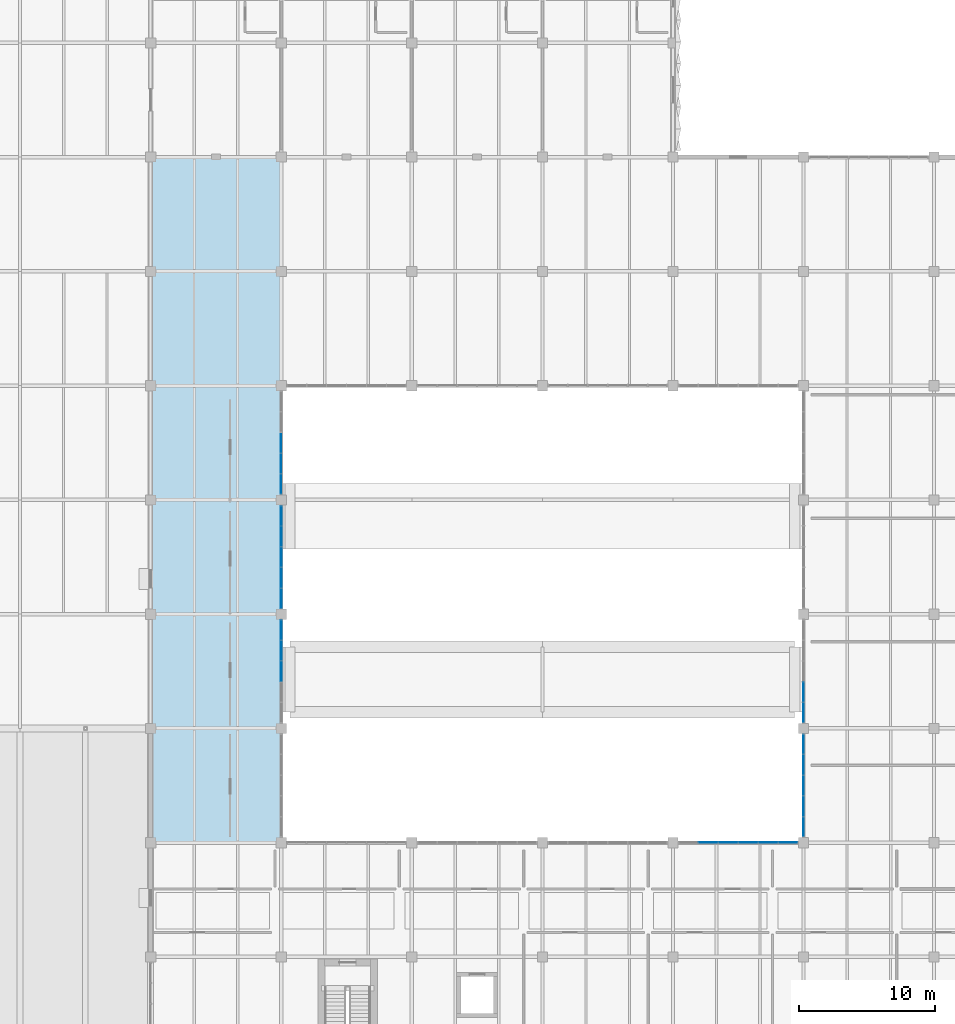
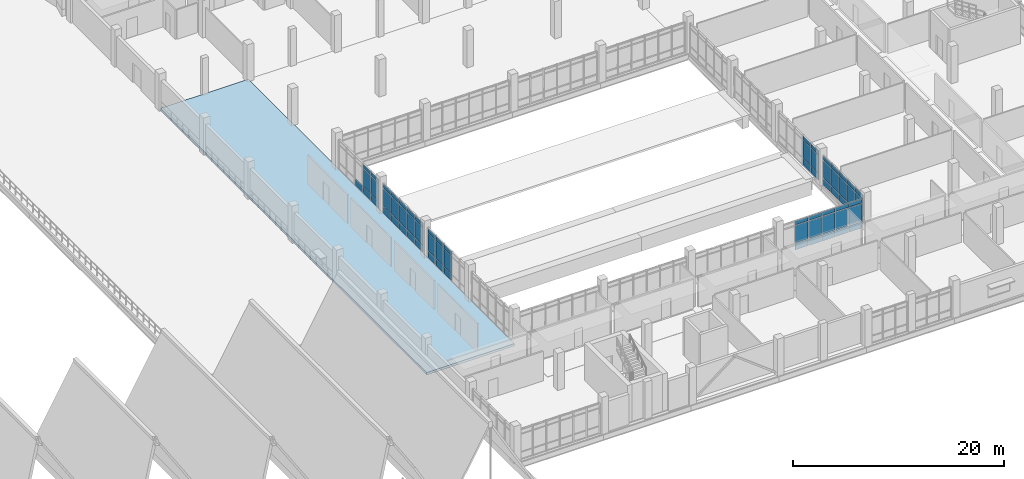
# One storey, part 42 of 86: 67 plates, 1 slab, 6 elements without a shape of their own.
"""IFC4 building model written with IfcOpenShell, lengths in metres."""

from ifc_helpers import new_model, si_unit, direction, frame, origin, origin_2d, place, context, subcontext, project, spatial, polyline, rectangle, outline, extrude, material, layer, layer_set, type_object, element, aggregate, save


model = new_model("IFC4")

# Units and contexts
model_context = context("Model", 3, precision=1e-05, world=origin(), true_north=direction((0.0, 1.0)))
body_context = subcontext(model_context, "Body", "Model", "MODEL_VIEW")
ifc_project = project(units=[si_unit("LENGTHUNIT", "METRE"), si_unit("AREAUNIT", "SQUARE_METRE"), si_unit("VOLUMEUNIT", "CUBIC_METRE"), si_unit("PLANEANGLEUNIT", "RADIAN"), si_unit("MASSUNIT", "GRAM", prefix="KILO")], contexts=[model_context])

# Site, building, storey
site_placement = place(None, origin())
site = spatial("IfcSite", under=ifc_project, at=site_placement, CompositionType="ELEMENT")
building_placement = place(site_placement, origin())
building = spatial("IfcBuilding", under=site, at=building_placement, Name="Oolite Switchyard Hospital", CompositionType="ELEMENT")
storey_placement = place(building_placement, frame((0.0, 0.0, 13.5)))
storey = spatial("IfcBuildingStorey", under=building, at=storey_placement, Name="L03", CompositionType="ELEMENT", Elevation=13.5)

# Curtain wall, plates
ifc_material_1 = material(Name="Thermally broken aluminum frame with laminated impact glazing", Category="aluminium")
curtain_wall_type_1 = type_object("IfcCurtainWallType", Name="CW-UNIT-84X43", PredefinedType="USERDEFINED", material=ifc_material_1)
curtain_wall_1_placement = place(storey_placement, origin())
curtain_wall_1 = element("IfcCurtainWall", 1, at=curtain_wall_1_placement, inside=storey, type_object=curtain_wall_type_1, Name="L03 Unitised Curtain Wall 343", ObjectType="UNITISED", PredefinedType="USERDEFINED")
ifc_material_2 = material(Name="Insulated fluoropolymer-coated aluminum spandrel panel", Category="aluminium")
ifc_layer_1 = layer(ifc_material_2, 0.054931640625)
ifc_layer_set_1 = layer_set([ifc_layer_1], Name="CW-PNL-SPN55")
plate_type_1 = type_object("IfcPlateType", Name="CW-PNL-SPN55", PredefinedType="CURTAIN_PANEL", material=ifc_layer_set_1)
plate_1_placement = place(storey_placement, frame((144.0, 40.83056640625, 0.0751953125), z_axis=(0.0, 0.0, 1.0), x_axis=(0.0, -1.0, 0.0)))
plate_1 = element("IfcPlate", 2, at=plate_1_placement, type_object=plate_type_1, Name="CW-09 panel 1.1", PredefinedType="CURTAIN_PANEL", context=body_context, shape_type="SweptSolid", body=[
    extrude(rectangle(XDim=1.4189453125, YDim=0.054931640625, at=origin_2d()), origin(), (0.0, 0.0, 1.0), 0.737548828125),
])
plate_2_placement = place(storey_placement, frame((144.0, 40.83056640625, 0.8876953125), z_axis=(0.0, 0.0, 1.0), x_axis=(0.0, -1.0, 0.0)))
plate_2 = element("IfcPlate", 3, at=plate_2_placement, type_object=plate_type_1, Name="CW-09 panel 1.2", PredefinedType="CURTAIN_PANEL", context=body_context, shape_type="SweptSolid", body=[
    extrude(rectangle(XDim=1.4189453125, YDim=0.054931640625, at=origin_2d()), origin(), (0.0, 0.0, 1.0), 2.014892578125),
])
plate_3_placement = place(storey_placement, frame((144.0, 40.83056640625, 2.9775390625), z_axis=(0.0, 0.0, 1.0), x_axis=(0.0, -1.0, 0.0)))
plate_3 = element("IfcPlate", 4, at=plate_3_placement, type_object=plate_type_1, Name="CW-09 panel 1.3", PredefinedType="CURTAIN_PANEL", context=body_context, shape_type="SweptSolid", body=[
    extrude(rectangle(XDim=1.4189453125, YDim=0.054931640625, at=origin_2d()), origin(), (0.0, 0.0, 1.0), 0.4375),
])
plate_4_placement = place(storey_placement, frame((144.0, 39.323974609375, 0.0751953125), z_axis=(0.0, 0.0, 1.0), x_axis=(0.0, -1.0, 0.0)))
plate_4 = element("IfcPlate", 5, at=plate_4_placement, type_object=plate_type_1, Name="CW-09 panel 2.1", PredefinedType="CURTAIN_PANEL", context=body_context, shape_type="SweptSolid", body=[
    extrude(rectangle(XDim=1.4541015625, YDim=0.054931640625, at=origin_2d()), origin(), (0.0, 0.0, 1.0), 0.737548828125),
])
plate_5_placement = place(storey_placement, frame((144.0, 39.323974609375, 0.8876953125), z_axis=(0.0, 0.0, 1.0), x_axis=(0.0, -1.0, 0.0)))
plate_5 = element("IfcPlate", 6, at=plate_5_placement, type_object=plate_type_1, Name="CW-09 panel 2.2", PredefinedType="CURTAIN_PANEL", context=body_context, shape_type="SweptSolid", body=[
    extrude(rectangle(XDim=1.4541015625, YDim=0.054931640625, at=origin_2d()), origin(), (0.0, 0.0, 1.0), 2.014892578125),
])
plate_6_placement = place(storey_placement, frame((144.0, 39.323974609375, 2.9775390625), z_axis=(0.0, 0.0, 1.0), x_axis=(0.0, -1.0, 0.0)))
plate_6 = element("IfcPlate", 7, at=plate_6_placement, type_object=plate_type_1, Name="CW-09 panel 2.3", PredefinedType="CURTAIN_PANEL", context=body_context, shape_type="SweptSolid", body=[
    extrude(rectangle(XDim=1.4541015625, YDim=0.054931640625, at=origin_2d()), origin(), (0.0, 0.0, 1.0), 0.4375),
])
plate_7_placement = place(storey_placement, frame((144.0, 37.800048828125, 0.0751953125), z_axis=(0.0, 0.0, 1.0), x_axis=(0.0, -1.0, 0.0)))
plate_7 = element("IfcPlate", 8, at=plate_7_placement, type_object=plate_type_1, Name="CW-09 panel 3.1", PredefinedType="CURTAIN_PANEL", context=body_context, shape_type="SweptSolid", body=[
    extrude(rectangle(XDim=1.4541015625, YDim=0.054931640625, at=origin_2d()), origin(), (0.0, 0.0, 1.0), 0.737548828125),
])
plate_8_placement = place(storey_placement, frame((144.0, 37.800048828125, 0.8876953125), z_axis=(0.0, 0.0, 1.0), x_axis=(0.0, -1.0, 0.0)))
plate_8 = element("IfcPlate", 9, at=plate_8_placement, type_object=plate_type_1, Name="CW-09 panel 3.2", PredefinedType="CURTAIN_PANEL", context=body_context, shape_type="SweptSolid", body=[
    extrude(rectangle(XDim=1.4541015625, YDim=0.054931640625, at=origin_2d()), origin(), (0.0, 0.0, 1.0), 2.014892578125),
])
plate_9_placement = place(storey_placement, frame((144.0, 37.800048828125, 2.9775390625), z_axis=(0.0, 0.0, 1.0), x_axis=(0.0, -1.0, 0.0)))
plate_9 = element("IfcPlate", 10, at=plate_9_placement, type_object=plate_type_1, Name="CW-09 panel 3.3", PredefinedType="CURTAIN_PANEL", context=body_context, shape_type="SweptSolid", body=[
    extrude(rectangle(XDim=1.4541015625, YDim=0.054931640625, at=origin_2d()), origin(), (0.0, 0.0, 1.0), 0.4375),
])
aggregate(curtain_wall_1, [plate_1, plate_2, plate_3, plate_4, plate_5, plate_6, plate_7, plate_8, plate_9])

curtain_wall_2_placement = place(storey_placement, origin())
curtain_wall_2 = element("IfcCurtainWall", 11, at=curtain_wall_2_placement, inside=storey, type_object=curtain_wall_type_1, Name="L03 Unitised Curtain Wall 345", ObjectType="UNITISED", PredefinedType="USERDEFINED")
plate_10_placement = place(storey_placement, frame((182.39990234375, 34.76708984375, 0.0751953125), z_axis=(0.0, 0.0, 1.0), x_axis=(0.0, 1.0, 0.0)))
plate_10 = element("IfcPlate", 12, at=plate_10_placement, type_object=plate_type_1, Name="CW-09 panel 1.1", PredefinedType="CURTAIN_PANEL", context=body_context, shape_type="SweptSolid", body=[
    extrude(rectangle(XDim=1.43408203125, YDim=0.054931640625, at=origin_2d()), origin(), (0.0, 0.0, 1.0), 0.737548828125),
])
plate_11_placement = place(storey_placement, frame((182.39990234375, 34.76708984375, 0.8876953125), z_axis=(0.0, 0.0, 1.0), x_axis=(0.0, 1.0, 0.0)))
plate_11 = element("IfcPlate", 13, at=plate_11_placement, type_object=plate_type_1, Name="CW-09 panel 1.2", PredefinedType="CURTAIN_PANEL", context=body_context, shape_type="SweptSolid", body=[
    extrude(rectangle(XDim=1.43408203125, YDim=0.054931640625, at=origin_2d()), origin(), (0.0, 0.0, 1.0), 2.014892578125),
])
plate_12_placement = place(storey_placement, frame((182.39990234375, 34.76708984375, 2.9775390625), z_axis=(0.0, 0.0, 1.0), x_axis=(0.0, 1.0, 0.0)))
plate_12 = element("IfcPlate", 14, at=plate_12_placement, type_object=plate_type_1, Name="CW-09 panel 1.3", PredefinedType="CURTAIN_PANEL", context=body_context, shape_type="SweptSolid", body=[
    extrude(rectangle(XDim=1.43408203125, YDim=0.054931640625, at=origin_2d()), origin(), (0.0, 0.0, 1.0), 0.4375),
])
plate_13_placement = place(storey_placement, frame((182.39990234375, 36.27587890625, 0.0751953125), z_axis=(0.0, 0.0, 1.0), x_axis=(0.0, 1.0, 0.0)))
plate_13 = element("IfcPlate", 15, at=plate_13_placement, type_object=plate_type_1, Name="CW-09 panel 2.1", PredefinedType="CURTAIN_PANEL", context=body_context, shape_type="SweptSolid", body=[
    extrude(rectangle(XDim=1.464111328125, YDim=0.054931640625, at=origin_2d()), origin(), (0.0, 0.0, 1.0), 0.737548828125),
])
plate_14_placement = place(storey_placement, frame((182.39990234375, 36.27587890625, 0.8876953125), z_axis=(0.0, 0.0, 1.0), x_axis=(0.0, 1.0, 0.0)))
plate_14 = element("IfcPlate", 16, at=plate_14_placement, type_object=plate_type_1, Name="CW-09 panel 2.2", PredefinedType="CURTAIN_PANEL", context=body_context, shape_type="SweptSolid", body=[
    extrude(rectangle(XDim=1.464111328125, YDim=0.054931640625, at=origin_2d()), origin(), (0.0, 0.0, 1.0), 2.014892578125),
])
plate_15_placement = place(storey_placement, frame((182.39990234375, 36.27587890625, 2.9775390625), z_axis=(0.0, 0.0, 1.0), x_axis=(0.0, 1.0, 0.0)))
plate_15 = element("IfcPlate", 17, at=plate_15_placement, type_object=plate_type_1, Name="CW-09 panel 2.3", PredefinedType="CURTAIN_PANEL", context=body_context, shape_type="SweptSolid", body=[
    extrude(rectangle(XDim=1.464111328125, YDim=0.054931640625, at=origin_2d()), origin(), (0.0, 0.0, 1.0), 0.4375),
])
aggregate(curtain_wall_2, [plate_10, plate_11, plate_12, plate_13, plate_14, plate_15])

curtain_wall_type_2 = type_object("IfcCurtainWallType", Name="CW-UNIT-96X43", PredefinedType="USERDEFINED", material=ifc_material_1)
curtain_wall_3_placement = place(storey_placement, origin())
curtain_wall_3 = element("IfcCurtainWall", 18, at=curtain_wall_3_placement, inside=storey, type_object=curtain_wall_type_2, Name="L03 Unitised Curtain Wall 333", ObjectType="UNITISED", PredefinedType="USERDEFINED")
ifc_material_3 = material(Name="Laminated hurricane-impact insulated glazing unit", Category="glass")
ifc_layer_2 = layer(ifc_material_3, 0.028076171875)
ifc_layer_set_2 = layer_set([ifc_layer_2], Name="CW-PNL-VIS28")
plate_type_2 = type_object("IfcPlateType", Name="CW-PNL-VIS28", PredefinedType="CURTAIN_PANEL", material=ifc_layer_set_2)
plate_16_placement = place(storey_placement, frame((175.39501953125, 25.199951171875, 0.0751953125), z_axis=(0.0, 0.0, 1.0), x_axis=(1.0, 0.0, 0.0)))
plate_16 = element("IfcPlate", 19, at=plate_16_placement, type_object=plate_type_2, Name="CW-04 panel 2.1", PredefinedType="CURTAIN_PANEL", context=body_context, shape_type="SweptSolid", body=[
    extrude(rectangle(XDim=1.409912109375, YDim=0.028076171875, at=origin_2d()), origin(), (0.0, 0.0, 1.0), 0.737548828125),
])
plate_17_placement = place(storey_placement, frame((175.39501953125, 25.199951171875, 0.8876953125), z_axis=(0.0, 0.0, 1.0), x_axis=(1.0, 0.0, 0.0)))
plate_17 = element("IfcPlate", 20, at=plate_17_placement, type_object=plate_type_2, Name="CW-04 panel 2.2", PredefinedType="CURTAIN_PANEL", context=body_context, shape_type="SweptSolid", body=[
    extrude(rectangle(XDim=1.409912109375, YDim=0.028076171875, at=origin_2d()), origin(), (0.0, 0.0, 1.0), 2.014892578125),
])
plate_18_placement = place(storey_placement, frame((175.39501953125, 25.199951171875, 2.9775390625), z_axis=(0.0, 0.0, 1.0), x_axis=(1.0, 0.0, 0.0)))
plate_18 = element("IfcPlate", 21, at=plate_18_placement, type_object=plate_type_2, Name="CW-04 panel 2.3", PredefinedType="CURTAIN_PANEL", context=body_context, shape_type="SweptSolid", body=[
    extrude(rectangle(XDim=1.409912109375, YDim=0.028076171875, at=origin_2d()), origin(), (0.0, 0.0, 1.0), 0.4375),
])
plate_19_placement = place(storey_placement, frame((176.864990234375, 25.199951171875, 0.0751953125), z_axis=(0.0, 0.0, 1.0), x_axis=(1.0, 0.0, 0.0)))
plate_19 = element("IfcPlate", 22, at=plate_19_placement, type_object=plate_type_2, Name="CW-04 panel 3.1", PredefinedType="CURTAIN_PANEL", context=body_context, shape_type="SweptSolid", body=[
    extrude(rectangle(XDim=1.409912109375, YDim=0.028076171875, at=origin_2d()), origin(), (0.0, 0.0, 1.0), 0.737548828125),
])
plate_20_placement = place(storey_placement, frame((176.864990234375, 25.199951171875, 0.8876953125), z_axis=(0.0, 0.0, 1.0), x_axis=(1.0, 0.0, 0.0)))
plate_20 = element("IfcPlate", 23, at=plate_20_placement, type_object=plate_type_2, Name="CW-04 panel 3.2", PredefinedType="CURTAIN_PANEL", context=body_context, shape_type="SweptSolid", body=[
    extrude(rectangle(XDim=1.409912109375, YDim=0.028076171875, at=origin_2d()), origin(), (0.0, 0.0, 1.0), 2.014892578125),
])
plate_21_placement = place(storey_placement, frame((176.864990234375, 25.199951171875, 2.9775390625), z_axis=(0.0, 0.0, 1.0), x_axis=(1.0, 0.0, 0.0)))
plate_21 = element("IfcPlate", 24, at=plate_21_placement, type_object=plate_type_2, Name="CW-04 panel 3.3", PredefinedType="CURTAIN_PANEL", context=body_context, shape_type="SweptSolid", body=[
    extrude(rectangle(XDim=1.409912109375, YDim=0.028076171875, at=origin_2d()), origin(), (0.0, 0.0, 1.0), 0.4375),
])
plate_22_placement = place(storey_placement, frame((178.3349609375, 25.199951171875, 0.0751953125), z_axis=(0.0, 0.0, 1.0), x_axis=(1.0, 0.0, 0.0)))
plate_22 = element("IfcPlate", 25, at=plate_22_placement, type_object=plate_type_2, Name="CW-04 panel 4.1", PredefinedType="CURTAIN_PANEL", context=body_context, shape_type="SweptSolid", body=[
    extrude(rectangle(XDim=1.409912109375, YDim=0.028076171875, at=origin_2d()), origin(), (0.0, 0.0, 1.0), 0.737548828125),
])
plate_23_placement = place(storey_placement, frame((178.3349609375, 25.199951171875, 0.8876953125), z_axis=(0.0, 0.0, 1.0), x_axis=(1.0, 0.0, 0.0)))
plate_23 = element("IfcPlate", 26, at=plate_23_placement, type_object=plate_type_2, Name="CW-04 panel 4.2", PredefinedType="CURTAIN_PANEL", context=body_context, shape_type="SweptSolid", body=[
    extrude(rectangle(XDim=1.409912109375, YDim=0.028076171875, at=origin_2d()), origin(), (0.0, 0.0, 1.0), 2.014892578125),
])
plate_24_placement = place(storey_placement, frame((178.3349609375, 25.199951171875, 2.9775390625), z_axis=(0.0, 0.0, 1.0), x_axis=(1.0, 0.0, 0.0)))
plate_24 = element("IfcPlate", 27, at=plate_24_placement, type_object=plate_type_2, Name="CW-04 panel 4.3", PredefinedType="CURTAIN_PANEL", context=body_context, shape_type="SweptSolid", body=[
    extrude(rectangle(XDim=1.409912109375, YDim=0.028076171875, at=origin_2d()), origin(), (0.0, 0.0, 1.0), 0.4375),
])
plate_25_placement = place(storey_placement, frame((179.804931640625, 25.199951171875, 0.0751953125), z_axis=(0.0, 0.0, 1.0), x_axis=(1.0, 0.0, 0.0)))
plate_25 = element("IfcPlate", 28, at=plate_25_placement, type_object=plate_type_2, Name="CW-04 panel 5.1", PredefinedType="CURTAIN_PANEL", context=body_context, shape_type="SweptSolid", body=[
    extrude(rectangle(XDim=1.409912109375, YDim=0.028076171875, at=origin_2d()), origin(), (0.0, 0.0, 1.0), 0.737548828125),
])
plate_26_placement = place(storey_placement, frame((179.804931640625, 25.199951171875, 0.8876953125), z_axis=(0.0, 0.0, 1.0), x_axis=(1.0, 0.0, 0.0)))
plate_26 = element("IfcPlate", 29, at=plate_26_placement, type_object=plate_type_2, Name="CW-04 panel 5.2", PredefinedType="CURTAIN_PANEL", context=body_context, shape_type="SweptSolid", body=[
    extrude(rectangle(XDim=1.409912109375, YDim=0.028076171875, at=origin_2d()), origin(), (0.0, 0.0, 1.0), 2.014892578125),
])
plate_27_placement = place(storey_placement, frame((179.804931640625, 25.199951171875, 2.9775390625), z_axis=(0.0, 0.0, 1.0), x_axis=(1.0, 0.0, 0.0)))
plate_27 = element("IfcPlate", 30, at=plate_27_placement, type_object=plate_type_2, Name="CW-04 panel 5.3", PredefinedType="CURTAIN_PANEL", context=body_context, shape_type="SweptSolid", body=[
    extrude(rectangle(XDim=1.409912109375, YDim=0.028076171875, at=origin_2d()), origin(), (0.0, 0.0, 1.0), 0.4375),
])
plate_28_placement = place(storey_placement, frame((181.260009765625, 25.199951171875, 0.0751953125), z_axis=(0.0, 0.0, 1.0), x_axis=(1.0, 0.0, 0.0)))
plate_28 = element("IfcPlate", 31, at=plate_28_placement, type_object=plate_type_2, Name="CW-04 panel 6.1", PredefinedType="CURTAIN_PANEL", context=body_context, shape_type="SweptSolid", body=[
    extrude(rectangle(XDim=1.3798828125, YDim=0.028076171875, at=origin_2d()), origin(), (0.0, 0.0, 1.0), 0.737548828125),
])
plate_29_placement = place(storey_placement, frame((181.260009765625, 25.199951171875, 0.8876953125), z_axis=(0.0, 0.0, 1.0), x_axis=(1.0, 0.0, 0.0)))
plate_29 = element("IfcPlate", 32, at=plate_29_placement, type_object=plate_type_2, Name="CW-04 panel 6.2", PredefinedType="CURTAIN_PANEL", context=body_context, shape_type="SweptSolid", body=[
    extrude(rectangle(XDim=1.3798828125, YDim=0.028076171875, at=origin_2d()), origin(), (0.0, 0.0, 1.0), 2.014892578125),
])
plate_30_placement = place(storey_placement, frame((181.260009765625, 25.199951171875, 2.9775390625), z_axis=(0.0, 0.0, 1.0), x_axis=(1.0, 0.0, 0.0)))
plate_30 = element("IfcPlate", 33, at=plate_30_placement, type_object=plate_type_2, Name="CW-04 panel 6.3", PredefinedType="CURTAIN_PANEL", context=body_context, shape_type="SweptSolid", body=[
    extrude(rectangle(XDim=1.3798828125, YDim=0.028076171875, at=origin_2d()), origin(), (0.0, 0.0, 1.0), 0.4375),
])
aggregate(curtain_wall_3, [plate_16, plate_17, plate_18, plate_19, plate_20, plate_21, plate_22, plate_23, plate_24, plate_25, plate_26, plate_27, plate_28, plate_29, plate_30])

curtain_wall_4_placement = place(storey_placement, origin())
curtain_wall_4 = element("IfcCurtainWall", 34, at=curtain_wall_4_placement, inside=storey, type_object=curtain_wall_type_1, Name="L03 Unitised Curtain Wall 341", ObjectType="UNITISED", PredefinedType="USERDEFINED")
ifc_layer_3 = layer(ifc_material_3, 0.035888671875)
ifc_layer_set_3 = layer_set([ifc_layer_3], Name="CW-PNL-VIS36")
plate_type_3 = type_object("IfcPlateType", Name="CW-PNL-VIS36", PredefinedType="CURTAIN_PANEL", material=ifc_layer_set_3)
plate_31_placement = place(storey_placement, frame((144.0, 54.60009765625, 0.0751953125), z_axis=(0.0, 0.0, 1.0), x_axis=(0.0, -1.0, 0.0)))
plate_31 = element("IfcPlate", 35, at=plate_31_placement, type_object=plate_type_3, Name="CW-09 panel 3.1", PredefinedType="CURTAIN_PANEL", context=body_context, shape_type="SweptSolid", body=[
    extrude(rectangle(XDim=1.448974609375, YDim=0.035888671875, at=origin_2d()), origin(), (0.0, 0.0, 1.0), 0.737548828125),
])
plate_32_placement = place(storey_placement, frame((144.0, 53.075927734375, 0.0751953125), z_axis=(0.0, 0.0, 1.0), x_axis=(0.0, -1.0, 0.0)))
plate_32 = element("IfcPlate", 36, at=plate_32_placement, type_object=plate_type_3, Name="CW-09 panel 4.1", PredefinedType="CURTAIN_PANEL", context=body_context, shape_type="SweptSolid", body=[
    extrude(rectangle(XDim=1.448974609375, YDim=0.035888671875, at=origin_2d()), origin(), (0.0, 0.0, 1.0), 0.737548828125),
])
plate_33_placement = place(storey_placement, frame((144.0, 53.075927734375, 0.8876953125), z_axis=(0.0, 0.0, 1.0), x_axis=(0.0, -1.0, 0.0)))
plate_33 = element("IfcPlate", 37, at=plate_33_placement, type_object=plate_type_3, Name="CW-09 panel 4.2", PredefinedType="CURTAIN_PANEL", context=body_context, shape_type="SweptSolid", body=[
    extrude(rectangle(XDim=1.448974609375, YDim=0.035888671875, at=origin_2d()), origin(), (0.0, 0.0, 1.0), 2.014892578125),
])
plate_34_placement = place(storey_placement, frame((144.0, 53.075927734375, 2.9775390625), z_axis=(0.0, 0.0, 1.0), x_axis=(0.0, -1.0, 0.0)))
plate_34 = element("IfcPlate", 38, at=plate_34_placement, type_object=plate_type_3, Name="CW-09 panel 4.3", PredefinedType="CURTAIN_PANEL", context=body_context, shape_type="SweptSolid", body=[
    extrude(rectangle(XDim=1.448974609375, YDim=0.035888671875, at=origin_2d()), origin(), (0.0, 0.0, 1.0), 0.4375),
])
plate_35_placement = place(storey_placement, frame((144.0, 51.57080078125, 0.0751953125), z_axis=(0.0, 0.0, 1.0), x_axis=(0.0, -1.0, 0.0)))
plate_35 = element("IfcPlate", 39, at=plate_35_placement, type_object=plate_type_3, Name="CW-09 panel 5.1", PredefinedType="CURTAIN_PANEL", context=body_context, shape_type="SweptSolid", body=[
    extrude(rectangle(XDim=1.41162109375, YDim=0.035888671875, at=origin_2d()), origin(), (0.0, 0.0, 1.0), 0.737548828125),
])
plate_36_placement = place(storey_placement, frame((144.0, 51.57080078125, 0.8876953125), z_axis=(0.0, 0.0, 1.0), x_axis=(0.0, -1.0, 0.0)))
plate_36 = element("IfcPlate", 40, at=plate_36_placement, type_object=plate_type_3, Name="CW-09 panel 5.2", PredefinedType="CURTAIN_PANEL", context=body_context, shape_type="SweptSolid", body=[
    extrude(rectangle(XDim=1.41162109375, YDim=0.035888671875, at=origin_2d()), origin(), (0.0, 0.0, 1.0), 2.014892578125),
])
plate_37_placement = place(storey_placement, frame((144.0, 51.57080078125, 2.9775390625), z_axis=(0.0, 0.0, 1.0), x_axis=(0.0, -1.0, 0.0)))
plate_37 = element("IfcPlate", 41, at=plate_37_placement, type_object=plate_type_3, Name="CW-09 panel 5.3", PredefinedType="CURTAIN_PANEL", context=body_context, shape_type="SweptSolid", body=[
    extrude(rectangle(XDim=1.41162109375, YDim=0.035888671875, at=origin_2d()), origin(), (0.0, 0.0, 1.0), 0.4375),
])
aggregate(curtain_wall_4, [plate_31, plate_32, plate_33, plate_34, plate_35, plate_36, plate_37])

curtain_wall_5_placement = place(storey_placement, origin())
curtain_wall_5 = element("IfcCurtainWall", 42, at=curtain_wall_5_placement, inside=storey, type_object=curtain_wall_type_1, Name="L03 Unitised Curtain Wall 344", ObjectType="UNITISED", PredefinedType="USERDEFINED")
plate_38_placement = place(storey_placement, frame((182.39990234375, 26.370849609375, 0.06005859375), z_axis=(0.0, 0.0, 1.0), x_axis=(0.0, 1.0, 0.0)))
plate_38 = element("IfcPlate", 43, at=plate_38_placement, type_object=plate_type_3, Name="CW-09 panel 1.1", PredefinedType="CURTAIN_PANEL", context=body_context, shape_type="SweptSolid", body=[
    extrude(rectangle(XDim=1.41162109375, YDim=0.035888671875, at=origin_2d()), origin(), (0.0, 0.0, 1.0), 0.760009765625),
])
plate_39_placement = place(storey_placement, frame((182.39990234375, 26.370849609375, 0.8798828125), z_axis=(0.0, 0.0, 1.0), x_axis=(0.0, 1.0, 0.0)))
plate_39 = element("IfcPlate", 44, at=plate_39_placement, type_object=plate_type_3, Name="CW-09 panel 1.2", PredefinedType="CURTAIN_PANEL", context=body_context, shape_type="SweptSolid", body=[
    extrude(rectangle(XDim=1.41162109375, YDim=0.035888671875, at=origin_2d()), origin(), (0.0, 0.0, 1.0), 2.030029296875),
])
plate_40_placement = place(storey_placement, frame((182.39990234375, 26.370849609375, 2.969970703125), z_axis=(0.0, 0.0, 1.0), x_axis=(0.0, 1.0, 0.0)))
plate_40 = element("IfcPlate", 45, at=plate_40_placement, type_object=plate_type_3, Name="CW-09 panel 1.3", PredefinedType="CURTAIN_PANEL", context=body_context, shape_type="SweptSolid", body=[
    extrude(rectangle(XDim=1.41162109375, YDim=0.035888671875, at=origin_2d()), origin(), (0.0, 0.0, 1.0), 0.4599609375),
])
plate_41_placement = place(storey_placement, frame((182.39990234375, 27.8759765625, 0.06005859375), z_axis=(0.0, 0.0, 1.0), x_axis=(0.0, 1.0, 0.0)))
plate_41 = element("IfcPlate", 46, at=plate_41_placement, type_object=plate_type_3, Name="CW-09 panel 2.1", PredefinedType="CURTAIN_PANEL", context=body_context, shape_type="SweptSolid", body=[
    extrude(rectangle(XDim=1.448974609375, YDim=0.035888671875, at=origin_2d()), origin(), (0.0, 0.0, 1.0), 0.760009765625),
])
plate_42_placement = place(storey_placement, frame((182.39990234375, 27.8759765625, 0.8798828125), z_axis=(0.0, 0.0, 1.0), x_axis=(0.0, 1.0, 0.0)))
plate_42 = element("IfcPlate", 47, at=plate_42_placement, type_object=plate_type_3, Name="CW-09 panel 2.2", PredefinedType="CURTAIN_PANEL", context=body_context, shape_type="SweptSolid", body=[
    extrude(rectangle(XDim=1.448974609375, YDim=0.035888671875, at=origin_2d()), origin(), (0.0, 0.0, 1.0), 2.030029296875),
])
plate_43_placement = place(storey_placement, frame((182.39990234375, 27.8759765625, 2.969970703125), z_axis=(0.0, 0.0, 1.0), x_axis=(0.0, 1.0, 0.0)))
plate_43 = element("IfcPlate", 48, at=plate_43_placement, type_object=plate_type_3, Name="CW-09 panel 2.3", PredefinedType="CURTAIN_PANEL", context=body_context, shape_type="SweptSolid", body=[
    extrude(rectangle(XDim=1.448974609375, YDim=0.035888671875, at=origin_2d()), origin(), (0.0, 0.0, 1.0), 0.4599609375),
])
plate_44_placement = place(storey_placement, frame((182.39990234375, 29.39990234375, 0.06005859375), z_axis=(0.0, 0.0, 1.0), x_axis=(0.0, 1.0, 0.0)))
plate_44 = element("IfcPlate", 49, at=plate_44_placement, type_object=plate_type_3, Name="CW-09 panel 3.1", PredefinedType="CURTAIN_PANEL", context=body_context, shape_type="SweptSolid", body=[
    extrude(rectangle(XDim=1.448974609375, YDim=0.035888671875, at=origin_2d()), origin(), (0.0, 0.0, 1.0), 0.760009765625),
])
plate_45_placement = place(storey_placement, frame((182.39990234375, 29.39990234375, 0.8798828125), z_axis=(0.0, 0.0, 1.0), x_axis=(0.0, 1.0, 0.0)))
plate_45 = element("IfcPlate", 50, at=plate_45_placement, type_object=plate_type_3, Name="CW-09 panel 3.2", PredefinedType="CURTAIN_PANEL", context=body_context, shape_type="SweptSolid", body=[
    extrude(rectangle(XDim=1.448974609375, YDim=0.035888671875, at=origin_2d()), origin(), (0.0, 0.0, 1.0), 2.030029296875),
])
plate_46_placement = place(storey_placement, frame((182.39990234375, 29.39990234375, 2.969970703125), z_axis=(0.0, 0.0, 1.0), x_axis=(0.0, 1.0, 0.0)))
plate_46 = element("IfcPlate", 51, at=plate_46_placement, type_object=plate_type_3, Name="CW-09 panel 3.3", PredefinedType="CURTAIN_PANEL", context=body_context, shape_type="SweptSolid", body=[
    extrude(rectangle(XDim=1.448974609375, YDim=0.035888671875, at=origin_2d()), origin(), (0.0, 0.0, 1.0), 0.4599609375),
])
plate_47_placement = place(storey_placement, frame((182.39990234375, 30.924072265625, 0.06005859375), z_axis=(0.0, 0.0, 1.0), x_axis=(0.0, 1.0, 0.0)))
plate_47 = element("IfcPlate", 52, at=plate_47_placement, type_object=plate_type_3, Name="CW-09 panel 4.1", PredefinedType="CURTAIN_PANEL", context=body_context, shape_type="SweptSolid", body=[
    extrude(rectangle(XDim=1.448974609375, YDim=0.035888671875, at=origin_2d()), origin(), (0.0, 0.0, 1.0), 0.760009765625),
])
plate_48_placement = place(storey_placement, frame((182.39990234375, 30.924072265625, 0.8798828125), z_axis=(0.0, 0.0, 1.0), x_axis=(0.0, 1.0, 0.0)))
plate_48 = element("IfcPlate", 53, at=plate_48_placement, type_object=plate_type_3, Name="CW-09 panel 4.2", PredefinedType="CURTAIN_PANEL", context=body_context, shape_type="SweptSolid", body=[
    extrude(rectangle(XDim=1.448974609375, YDim=0.035888671875, at=origin_2d()), origin(), (0.0, 0.0, 1.0), 2.030029296875),
])
plate_49_placement = place(storey_placement, frame((182.39990234375, 30.924072265625, 2.969970703125), z_axis=(0.0, 0.0, 1.0), x_axis=(0.0, 1.0, 0.0)))
plate_49 = element("IfcPlate", 54, at=plate_49_placement, type_object=plate_type_3, Name="CW-09 panel 4.3", PredefinedType="CURTAIN_PANEL", context=body_context, shape_type="SweptSolid", body=[
    extrude(rectangle(XDim=1.448974609375, YDim=0.035888671875, at=origin_2d()), origin(), (0.0, 0.0, 1.0), 0.4599609375),
])
plate_50_placement = place(storey_placement, frame((182.39990234375, 32.42919921875, 0.06005859375), z_axis=(0.0, 0.0, 1.0), x_axis=(0.0, 1.0, 0.0)))
plate_50 = element("IfcPlate", 55, at=plate_50_placement, type_object=plate_type_3, Name="CW-09 panel 5.1", PredefinedType="CURTAIN_PANEL", context=body_context, shape_type="SweptSolid", body=[
    extrude(rectangle(XDim=1.41162109375, YDim=0.035888671875, at=origin_2d()), origin(), (0.0, 0.0, 1.0), 0.760009765625),
])
plate_51_placement = place(storey_placement, frame((182.39990234375, 32.42919921875, 0.8798828125), z_axis=(0.0, 0.0, 1.0), x_axis=(0.0, 1.0, 0.0)))
plate_51 = element("IfcPlate", 56, at=plate_51_placement, type_object=plate_type_3, Name="CW-09 panel 5.2", PredefinedType="CURTAIN_PANEL", context=body_context, shape_type="SweptSolid", body=[
    extrude(rectangle(XDim=1.41162109375, YDim=0.035888671875, at=origin_2d()), origin(), (0.0, 0.0, 1.0), 2.030029296875),
])
plate_52_placement = place(storey_placement, frame((182.39990234375, 32.42919921875, 2.969970703125), z_axis=(0.0, 0.0, 1.0), x_axis=(0.0, 1.0, 0.0)))
plate_52 = element("IfcPlate", 57, at=plate_52_placement, type_object=plate_type_3, Name="CW-09 panel 5.3", PredefinedType="CURTAIN_PANEL", context=body_context, shape_type="SweptSolid", body=[
    extrude(rectangle(XDim=1.41162109375, YDim=0.035888671875, at=origin_2d()), origin(), (0.0, 0.0, 1.0), 0.4599609375),
])
aggregate(curtain_wall_5, [plate_38, plate_39, plate_40, plate_41, plate_42, plate_43, plate_44, plate_45, plate_46, plate_47, plate_48, plate_49, plate_50, plate_51, plate_52])

curtain_wall_6_placement = place(storey_placement, origin())
curtain_wall_6 = element("IfcCurtainWall", 58, at=curtain_wall_6_placement, inside=storey, type_object=curtain_wall_type_1, Name="L03 Unitised Curtain Wall 342", ObjectType="UNITISED", PredefinedType="USERDEFINED")
ifc_layer_4 = layer(ifc_material_3, 0.0419921875)
ifc_layer_set_4 = layer_set([ifc_layer_4], Name="CW-PNL-VIS42")
plate_type_4 = type_object("IfcPlateType", Name="CW-PNL-VIS42", PredefinedType="CURTAIN_PANEL", material=ifc_layer_set_4)
plate_53_placement = place(storey_placement, frame((144.0, 49.23291015625, 0.06005859375), z_axis=(0.0, 0.0, 1.0), x_axis=(0.0, -1.0, 0.0)))
plate_53 = element("IfcPlate", 59, at=plate_53_placement, type_object=plate_type_4, Name="CW-09 panel 1.1", PredefinedType="CURTAIN_PANEL", context=body_context, shape_type="SweptSolid", body=[
    extrude(rectangle(XDim=1.43408203125, YDim=0.0419921875, at=origin_2d()), origin(), (0.0, 0.0, 1.0), 0.760009765625),
])
plate_54_placement = place(storey_placement, frame((144.0, 49.23291015625, 0.8798828125), z_axis=(0.0, 0.0, 1.0), x_axis=(0.0, -1.0, 0.0)))
plate_54 = element("IfcPlate", 60, at=plate_54_placement, type_object=plate_type_4, Name="CW-09 panel 1.2", PredefinedType="CURTAIN_PANEL", context=body_context, shape_type="SweptSolid", body=[
    extrude(rectangle(XDim=1.43408203125, YDim=0.0419921875, at=origin_2d()), origin(), (0.0, 0.0, 1.0), 2.030029296875),
])
plate_55_placement = place(storey_placement, frame((144.0, 49.23291015625, 2.969970703125), z_axis=(0.0, 0.0, 1.0), x_axis=(0.0, -1.0, 0.0)))
plate_55 = element("IfcPlate", 61, at=plate_55_placement, type_object=plate_type_4, Name="CW-09 panel 1.3", PredefinedType="CURTAIN_PANEL", context=body_context, shape_type="SweptSolid", body=[
    extrude(rectangle(XDim=1.43408203125, YDim=0.0419921875, at=origin_2d()), origin(), (0.0, 0.0, 1.0), 0.4599609375),
])
plate_56_placement = place(storey_placement, frame((144.0, 47.72412109375, 0.06005859375), z_axis=(0.0, 0.0, 1.0), x_axis=(0.0, -1.0, 0.0)))
plate_56 = element("IfcPlate", 62, at=plate_56_placement, type_object=plate_type_4, Name="CW-09 panel 2.1", PredefinedType="CURTAIN_PANEL", context=body_context, shape_type="SweptSolid", body=[
    extrude(rectangle(XDim=1.464111328125, YDim=0.0419921875, at=origin_2d()), origin(), (0.0, 0.0, 1.0), 0.760009765625),
])
plate_57_placement = place(storey_placement, frame((144.0, 47.72412109375, 0.8798828125), z_axis=(0.0, 0.0, 1.0), x_axis=(0.0, -1.0, 0.0)))
plate_57 = element("IfcPlate", 63, at=plate_57_placement, type_object=plate_type_4, Name="CW-09 panel 2.2", PredefinedType="CURTAIN_PANEL", context=body_context, shape_type="SweptSolid", body=[
    extrude(rectangle(XDim=1.464111328125, YDim=0.0419921875, at=origin_2d()), origin(), (0.0, 0.0, 1.0), 2.030029296875),
])
plate_58_placement = place(storey_placement, frame((144.0, 47.72412109375, 2.969970703125), z_axis=(0.0, 0.0, 1.0), x_axis=(0.0, -1.0, 0.0)))
plate_58 = element("IfcPlate", 64, at=plate_58_placement, type_object=plate_type_4, Name="CW-09 panel 2.3", PredefinedType="CURTAIN_PANEL", context=body_context, shape_type="SweptSolid", body=[
    extrude(rectangle(XDim=1.464111328125, YDim=0.0419921875, at=origin_2d()), origin(), (0.0, 0.0, 1.0), 0.4599609375),
])
plate_59_placement = place(storey_placement, frame((144.0, 46.199951171875, 0.06005859375), z_axis=(0.0, 0.0, 1.0), x_axis=(0.0, -1.0, 0.0)))
plate_59 = element("IfcPlate", 65, at=plate_59_placement, type_object=plate_type_4, Name="CW-09 panel 3.1", PredefinedType="CURTAIN_PANEL", context=body_context, shape_type="SweptSolid", body=[
    extrude(rectangle(XDim=1.464111328125, YDim=0.0419921875, at=origin_2d()), origin(), (0.0, 0.0, 1.0), 0.760009765625),
])
plate_60_placement = place(storey_placement, frame((144.0, 46.199951171875, 0.8798828125), z_axis=(0.0, 0.0, 1.0), x_axis=(0.0, -1.0, 0.0)))
plate_60 = element("IfcPlate", 66, at=plate_60_placement, type_object=plate_type_4, Name="CW-09 panel 3.2", PredefinedType="CURTAIN_PANEL", context=body_context, shape_type="SweptSolid", body=[
    extrude(rectangle(XDim=1.464111328125, YDim=0.0419921875, at=origin_2d()), origin(), (0.0, 0.0, 1.0), 2.030029296875),
])
plate_61_placement = place(storey_placement, frame((144.0, 46.199951171875, 2.969970703125), z_axis=(0.0, 0.0, 1.0), x_axis=(0.0, -1.0, 0.0)))
plate_61 = element("IfcPlate", 67, at=plate_61_placement, type_object=plate_type_4, Name="CW-09 panel 3.3", PredefinedType="CURTAIN_PANEL", context=body_context, shape_type="SweptSolid", body=[
    extrude(rectangle(XDim=1.464111328125, YDim=0.0419921875, at=origin_2d()), origin(), (0.0, 0.0, 1.0), 0.4599609375),
])
plate_62_placement = place(storey_placement, frame((144.0, 44.676025390625, 0.06005859375), z_axis=(0.0, 0.0, 1.0), x_axis=(0.0, -1.0, 0.0)))
plate_62 = element("IfcPlate", 68, at=plate_62_placement, type_object=plate_type_4, Name="CW-09 panel 4.1", PredefinedType="CURTAIN_PANEL", context=body_context, shape_type="SweptSolid", body=[
    extrude(rectangle(XDim=1.464111328125, YDim=0.0419921875, at=origin_2d()), origin(), (0.0, 0.0, 1.0), 0.760009765625),
])
plate_63_placement = place(storey_placement, frame((144.0, 44.676025390625, 0.8798828125), z_axis=(0.0, 0.0, 1.0), x_axis=(0.0, -1.0, 0.0)))
plate_63 = element("IfcPlate", 69, at=plate_63_placement, type_object=plate_type_4, Name="CW-09 panel 4.2", PredefinedType="CURTAIN_PANEL", context=body_context, shape_type="SweptSolid", body=[
    extrude(rectangle(XDim=1.464111328125, YDim=0.0419921875, at=origin_2d()), origin(), (0.0, 0.0, 1.0), 2.030029296875),
])
plate_64_placement = place(storey_placement, frame((144.0, 44.676025390625, 2.969970703125), z_axis=(0.0, 0.0, 1.0), x_axis=(0.0, -1.0, 0.0)))
plate_64 = element("IfcPlate", 70, at=plate_64_placement, type_object=plate_type_4, Name="CW-09 panel 4.3", PredefinedType="CURTAIN_PANEL", context=body_context, shape_type="SweptSolid", body=[
    extrude(rectangle(XDim=1.464111328125, YDim=0.0419921875, at=origin_2d()), origin(), (0.0, 0.0, 1.0), 0.4599609375),
])
plate_65_placement = place(storey_placement, frame((144.0, 43.1669921875, 0.06005859375), z_axis=(0.0, 0.0, 1.0), x_axis=(0.0, -1.0, 0.0)))
plate_65 = element("IfcPlate", 71, at=plate_65_placement, type_object=plate_type_4, Name="CW-09 panel 5.1", PredefinedType="CURTAIN_PANEL", context=body_context, shape_type="SweptSolid", body=[
    extrude(rectangle(XDim=1.43408203125, YDim=0.0419921875, at=origin_2d()), origin(), (0.0, 0.0, 1.0), 0.760009765625),
])
plate_66_placement = place(storey_placement, frame((144.0, 43.1669921875, 0.8798828125), z_axis=(0.0, 0.0, 1.0), x_axis=(0.0, -1.0, 0.0)))
plate_66 = element("IfcPlate", 72, at=plate_66_placement, type_object=plate_type_4, Name="CW-09 panel 5.2", PredefinedType="CURTAIN_PANEL", context=body_context, shape_type="SweptSolid", body=[
    extrude(rectangle(XDim=1.43408203125, YDim=0.0419921875, at=origin_2d()), origin(), (0.0, 0.0, 1.0), 2.030029296875),
])
plate_67_placement = place(storey_placement, frame((144.0, 43.1669921875, 2.969970703125), z_axis=(0.0, 0.0, 1.0), x_axis=(0.0, -1.0, 0.0)))
plate_67 = element("IfcPlate", 73, at=plate_67_placement, type_object=plate_type_4, Name="CW-09 panel 5.3", PredefinedType="CURTAIN_PANEL", context=body_context, shape_type="SweptSolid", body=[
    extrude(rectangle(XDim=1.43408203125, YDim=0.0419921875, at=origin_2d()), origin(), (0.0, 0.0, 1.0), 0.4599609375),
])
aggregate(curtain_wall_6, [plate_53, plate_54, plate_55, plate_56, plate_57, plate_58, plate_59, plate_60, plate_61, plate_62, plate_63, plate_64, plate_65, plate_66, plate_67])

# Slab
ifc_material_4 = material(Name="Concrete C40/50", Category="concrete")
ifc_layer_5 = layer(ifc_material_4, 0.27490234375)
ifc_layer_set_5 = layer_set([ifc_layer_5], Name="SLB-FLR-275")
slab_type = type_object("IfcSlabType", Name="SLB-FLR-275", PredefinedType="FLOOR", material=ifc_layer_set_5)
slab_placement = place(storey_placement, frame((0.0, 0.0, -0.27490234375)))
element("IfcSlab", 74, at=slab_placement, inside=storey, type_object=slab_type, Name="L03 V6 Slab V6W", PredefinedType="FLOOR", context=body_context, shape_type="SweptSolid", body=[
    extrude(outline(polyline([(134.39990234375, 25.199951171875), (144.0, 25.199951171875), (144.0, 75.60009765625), (134.39990234375, 75.60009765625), (134.39990234375, 25.199951171875)])), origin(), (0.0, 0.0, 1.0), 0.27490234375),
])

save(model, "model.ifc")
